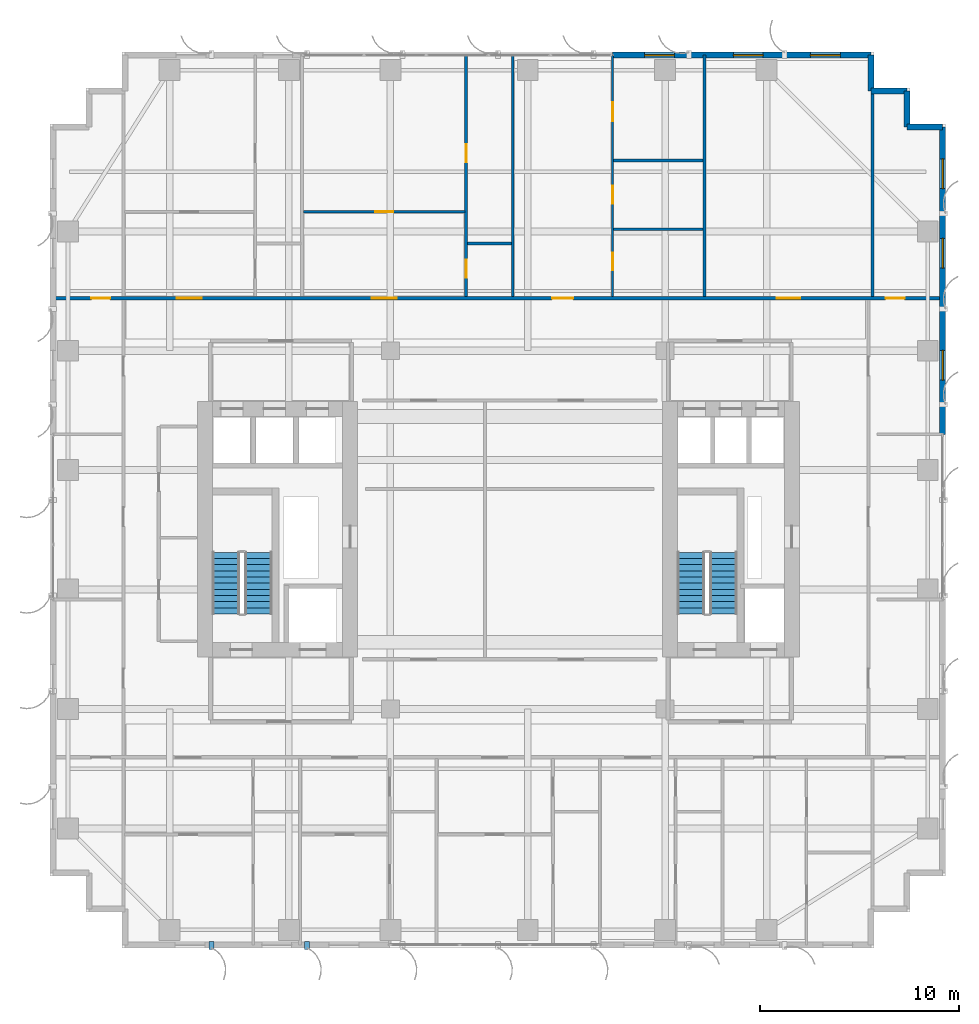
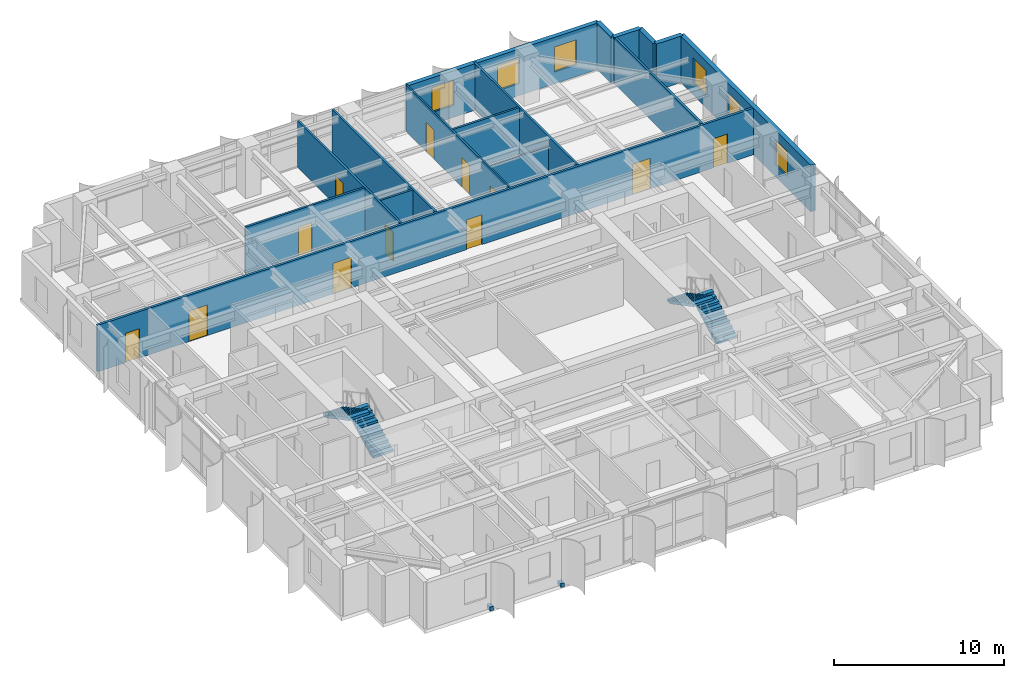
# One storey, part 17 of 22: 16 walls, 12 doors, 6 windows, 4 stair flights, 2 discrete accessories, 18 openings, 2 elements without a shape of their own.
"""IFC4 building model written with IfcOpenShell, lengths in metres."""

from ifc_helpers import new_model, si_unit, direction, frame, frame_2d, origin, origin_2d, place, context, subcontext, project, spatial, polyline, rectangle, outline, extrude, source, transform, mapped, material, layer, layer_set, type_object, element, fill, aggregate, save


model = new_model("IFC4")

# Units and contexts
model_context = context("Model", 3, precision=1e-05, world=origin(), true_north=direction((0.0, 1.0)))
body_context = subcontext(model_context, "Body", "Model", "MODEL_VIEW")
ifc_project = project(units=[si_unit("LENGTHUNIT", "METRE"), si_unit("AREAUNIT", "SQUARE_METRE"), si_unit("VOLUMEUNIT", "CUBIC_METRE"), si_unit("PLANEANGLEUNIT", "RADIAN"), si_unit("MASSUNIT", "GRAM", prefix="KILO")], contexts=[model_context])

# Site, building, storey
site_placement = place(None, origin())
site = spatial("IfcSite", under=ifc_project, at=site_placement, CompositionType="ELEMENT")
building_placement = place(site_placement, origin())
building = spatial("IfcBuilding", under=site, at=building_placement, Name="Khoralis Quay Care Tower", CompositionType="ELEMENT")
storey_placement = place(building_placement, frame((0.0, 0.0, 98.10009765625)))
storey = spatial("IfcBuildingStorey", under=building, at=storey_placement, Name="L25", CompositionType="ELEMENT", Elevation=98.10009765625)

# Wall, openings, doors
ifc_material_1 = material(Name="Gypsum plasterboard on acoustic metal stud")
ifc_layer_1 = layer(ifc_material_1, 0.1650390625)
ifc_layer_set_1 = layer_set([ifc_layer_1], Name="Gypsum plasterboard on acoustic metal stud")
wall_type_1 = type_object("IfcWallType", Name="WL-CORR-165", PredefinedType="PARTITIONING", material=ifc_layer_set_1)
wall_1_placement = place(storey_placement, frame((0.14501953125, 32.639892578125, 0.0), z_axis=(0.0, 0.0, 1.0), x_axis=(1.0, 0.0, 0.0)))
wall_1 = element("IfcWall", 1, at=wall_1_placement, inside=storey, type_object=wall_type_1, Name="L25 North Main Corridor Wall", PredefinedType="PARTITIONING", context=body_context, shape_type="SweptSolid", body=[
    extrude(rectangle(XDim=44.7099609375, YDim=0.1650390625, at=frame_2d((22.35498046875, 0.0))), origin(), (0.0, 0.0, 1.0), 3.33984375),
])
opening_1_placement = place(wall_1_placement, frame((6.22509765625, 0.0, 0.0)))
opening_1 = element("IfcOpeningElement", 2, at=opening_1_placement, cuts=wall_1, Name="Opening CD1", PredefinedType="OPENING", context=body_context, shape_type="SweptSolid", body=[
    extrude(rectangle(XDim=1.25, YDim=2.199951171875, at=frame_2d((0.625, 1.10009765625))), frame((0.0, 0.092529296875, 0.0), z_axis=(0.0, -1.0, 0.0), x_axis=(1.0, 0.0, 0.0)), (0.0, 0.0, 1.0), 0.18505859375),
])
opening_2_placement = place(wall_1_placement, frame((16.010009765625, 0.0, 0.0)))
opening_2 = element("IfcOpeningElement", 3, at=opening_2_placement, cuts=wall_1, Name="Opening CD1", PredefinedType="OPENING", context=body_context, shape_type="SweptSolid", body=[
    extrude(rectangle(XDim=1.25, YDim=2.199951171875, at=frame_2d((0.625, 1.10009765625))), frame((0.0, 0.092529296875, 0.0), z_axis=(0.0, -1.0, 0.0), x_axis=(1.0, 0.0, 0.0)), (0.0, 0.0, 1.0), 0.18505859375),
])
opening_3_placement = place(wall_1_placement, frame((25.083984375, 0.0, 0.0)))
opening_3 = element("IfcOpeningElement", 4, at=opening_3_placement, cuts=wall_1, Name="Opening UD1", PredefinedType="OPENING", context=body_context, shape_type="SweptSolid", body=[
    extrude(rectangle(XDim=1.050048828125, YDim=2.14990234375, at=frame_2d((0.52490234375, 1.074951171875))), frame((0.0, 0.092529296875, 0.0), z_axis=(0.0, -1.0, 0.0), x_axis=(1.0, 0.0, 0.0)), (0.0, 0.0, 1.0), 0.18505859375),
])
opening_4_placement = place(wall_1_placement, frame((36.35498046875, 0.0, 0.0)))
opening_4 = element("IfcOpeningElement", 5, at=opening_4_placement, cuts=wall_1, Name="Opening FD1", PredefinedType="OPENING", context=body_context, shape_type="SweptSolid", body=[
    extrude(rectangle(XDim=1.199951171875, YDim=2.199951171875, at=frame_2d((0.60009765625, 1.10009765625))), frame((0.0, 0.092529296875, 0.0), z_axis=(0.0, -1.0, 0.0), x_axis=(1.0, 0.0, 0.0)), (0.0, 0.0, 1.0), 0.18505859375),
])
opening_5_placement = place(wall_1_placement, frame((1.919921875, 0.0, 0.0)))
opening_5 = element("IfcOpeningElement", 6, at=opening_5_placement, cuts=wall_1, Name="Opening ID1", PredefinedType="OPENING", context=body_context, shape_type="SweptSolid", body=[
    extrude(rectangle(XDim=0.949951171875, YDim=2.10009765625, at=frame_2d((0.47509765625, 1.050048828125))), frame((0.0, 0.092529296875, 0.0), z_axis=(0.0, -1.0, 0.0), x_axis=(1.0, 0.0, 0.0)), (0.0, 0.0, 1.0), 0.18505859375),
])
opening_6_placement = place(wall_1_placement, frame((41.840087890625, 0.0, 0.0)))
opening_6 = element("IfcOpeningElement", 7, at=opening_6_placement, cuts=wall_1, Name="Opening ID1", PredefinedType="OPENING", context=body_context, shape_type="SweptSolid", body=[
    extrude(rectangle(XDim=0.949951171875, YDim=2.10009765625, at=frame_2d((0.47509765625, 1.050048828125))), frame((0.0, 0.092529296875, 0.0), z_axis=(0.0, -1.0, 0.0), x_axis=(1.0, 0.0, 0.0)), (0.0, 0.0, 1.0), 0.18505859375),
])
ifc_material_2 = material(Name="Fire-rated painted steel", Category="steel")
door_type_1 = type_object("IfcDoorType", Name="DR-FFL-1200X2200", OperationType="NOTDEFINED", PredefinedType="DOOR", material=ifc_material_2)
shared_shape_1 = source(origin(), body_context, "Body", "SweptSolid", [
    extrude(rectangle(XDim=1.199951171875, YDim=2.199951171875, at=frame_2d((0.60009765625, 1.10009765625))), frame((0.0, 0.02490234375, 0.0), z_axis=(0.0, -1.0, 0.0), x_axis=(1.0, 0.0, 0.0)), (0.0, 0.0, 1.0), 0.050048828125),
])
door_1_placement = place(opening_4_placement, origin())
door_1 = element("IfcDoor", 8, at=door_1_placement, inside=storey, type_object=door_type_1, Name="L25 Assisted Communal Dining Room Door", OperationType="DOUBLE_DOOR_SINGLE_SWING", OverallHeight=2.199951171875, OverallWidth=1.199951171875, PredefinedType="DOOR", context=body_context, shape_type="MappedRepresentation", body=[
    mapped(shared_shape_1, transform((0.0, 0.0, 0.0), scale=1.0)),
])
fill(opening_4, door_1)
ifc_material_3 = material(Name="Acoustic hardwood timber", Category="wood")
door_type_2 = type_object("IfcDoorType", Name="DR-CARE-1250X2200", OperationType="NOTDEFINED", PredefinedType="DOOR", material=ifc_material_3)
shared_shape_2 = source(origin(), body_context, "Body", "SweptSolid", [
    extrude(rectangle(XDim=1.25, YDim=2.199951171875, at=frame_2d((0.625, 1.10009765625))), frame((0.0, 0.02490234375, 0.0), z_axis=(0.0, -1.0, 0.0), x_axis=(1.0, 0.0, 0.0)), (0.0, 0.0, 1.0), 0.050048828125),
])
door_2_placement = place(opening_1_placement, origin())
door_2 = element("IfcDoor", 9, at=door_2_placement, inside=storey, type_object=door_type_2, Name="L25 Care Suite NB0 Clinical Door", OperationType="SINGLE_SWING_LEFT", OverallHeight=2.199951171875, OverallWidth=1.25, PredefinedType="DOOR", context=body_context, shape_type="MappedRepresentation", body=[
    mapped(shared_shape_2, transform((0.0, 0.0, 0.0), scale=1.0)),
])
fill(opening_1, door_2)
door_3_placement = place(opening_2_placement, origin())
door_3 = element("IfcDoor", 10, at=door_3_placement, inside=storey, type_object=door_type_2, Name="L25 Care Suite NB1 Clinical Door", OperationType="SINGLE_SWING_RIGHT", OverallHeight=2.199951171875, OverallWidth=1.25, PredefinedType="DOOR", context=body_context, shape_type="MappedRepresentation", body=[
    mapped(shared_shape_2, transform((0.0, 0.0, 0.0), scale=1.0)),
])
fill(opening_2, door_3)
door_type_3 = type_object("IfcDoorType", Name="DR-ROOM-950X2100", OperationType="NOTDEFINED", PredefinedType="DOOR", material=ifc_material_3)
shared_shape_3 = source(origin(), body_context, "Body", "SweptSolid", [
    extrude(rectangle(XDim=0.949951171875, YDim=2.10009765625, at=frame_2d((0.47509765625, 1.050048828125))), frame((0.0, 0.02490234375, 0.0), z_axis=(0.0, -1.0, 0.0), x_axis=(1.0, 0.0, 0.0)), (0.0, 0.0, 1.0), 0.050048828125),
])
door_4_placement = place(opening_5_placement, origin())
door_4 = element("IfcDoor", 11, at=door_4_placement, inside=storey, type_object=door_type_3, Name="L25 NW Corner Door", OperationType="SINGLE_SWING_RIGHT", OverallHeight=2.10009765625, OverallWidth=0.949951171875, PredefinedType="DOOR", context=body_context, shape_type="MappedRepresentation", body=[
    mapped(shared_shape_3, transform((0.0, 0.0, 0.0), scale=1.0)),
])
fill(opening_5, door_4)
door_5_placement = place(opening_6_placement, origin())
door_5 = element("IfcDoor", 12, at=door_5_placement, inside=storey, type_object=door_type_3, Name="L25 NE Corner Door", OperationType="SINGLE_SWING_LEFT", OverallHeight=2.10009765625, OverallWidth=0.949951171875, PredefinedType="DOOR", context=body_context, shape_type="MappedRepresentation", body=[
    mapped(shared_shape_3, transform((0.0, 0.0, 0.0), scale=1.0)),
])
fill(opening_6, door_5)
door_type_4 = type_object("IfcDoorType", Name="DR-SUITE-1050X2150", OperationType="NOTDEFINED", PredefinedType="DOOR", material=ifc_material_3)
shared_shape_4 = source(origin(), body_context, "Body", "SweptSolid", [
    extrude(rectangle(XDim=1.050048828125, YDim=2.14990234375, at=frame_2d((0.52490234375, 1.074951171875))), frame((0.0, 0.02490234375, 0.0), z_axis=(0.0, -1.0, 0.0), x_axis=(1.0, 0.0, 0.0)), (0.0, 0.0, 1.0), 0.050048828125),
])
door_6_placement = place(opening_3_placement, origin())
door_6 = element("IfcDoor", 13, at=door_6_placement, inside=storey, type_object=door_type_4, Name="L25 Apartment NB2 Entrance Door", OperationType="SINGLE_SWING_LEFT", OverallHeight=2.14990234375, OverallWidth=1.050048828125, PredefinedType="DOOR", context=body_context, shape_type="MappedRepresentation", body=[
    mapped(shared_shape_4, transform((0.0, 0.0, 0.0), scale=1.0)),
])
fill(opening_3, door_6)

# Wall, openings, windows
ifc_material_4 = material(Name="Precast concrete C45/55", Category="concrete")
ifc_layer_2 = layer(ifc_material_4, 0.300048828125)
ifc_layer_set_2 = layer_set([ifc_layer_2], Name="Precast concrete C45/55")
wall_type_2 = type_object("IfcWallType", Name="WL-EXT-REF-300", PredefinedType="SOLIDWALL", material=ifc_layer_set_2)
wall_2_placement = place(storey_placement, frame((44.85009765625, 25.800048828125, 0.0), z_axis=(0.0, 0.0, 1.0), x_axis=(0.0, 1.0, 0.0)))
wall_2 = element("IfcWall", 14, at=wall_2_placement, inside=storey, type_object=wall_type_2, Name="L25 External Facade Wall WL-EXT-L25-P1-E5B", PredefinedType="SOLIDWALL", context=body_context, shape_type="SweptSolid", body=[
    extrude(rectangle(XDim=15.449951171875, YDim=0.300048828125, at=frame_2d((7.72509765625, 0.0))), origin(), (0.0, 0.0, 1.0), 3.33984375),
])
opening_7_placement = place(wall_2_placement, frame((2.719970703125, 0.0, 0.85009765625)))
opening_7 = element("IfcOpeningElement", 15, at=opening_7_placement, cuts=wall_2, Name="Opening W3", PredefinedType="OPENING", context=body_context, shape_type="SweptSolid", body=[
    extrude(rectangle(XDim=1.5, YDim=1.800048828125, at=frame_2d((0.75, 0.89990234375))), frame((0.0, 0.16015625, 0.0), z_axis=(0.0, -1.0, 0.0), x_axis=(1.0, 0.0, 0.0)), (0.0, 0.0, 1.0), 0.320068359375),
])
opening_8_placement = place(wall_2_placement, frame((8.347412109375, 0.0, 0.85009765625)))
opening_8 = element("IfcOpeningElement", 16, at=opening_8_placement, cuts=wall_2, Name="Opening W3", PredefinedType="OPENING", context=body_context, shape_type="SweptSolid", body=[
    extrude(rectangle(XDim=1.5, YDim=1.800048828125, at=frame_2d((0.75, 0.89990234375))), frame((0.0, 0.16015625, 0.0), z_axis=(0.0, -1.0, 0.0), x_axis=(1.0, 0.0, 0.0)), (0.0, 0.0, 1.0), 0.320068359375),
])
opening_9_placement = place(wall_2_placement, frame((12.342529296875, 0.0, 0.85009765625)))
opening_9 = element("IfcOpeningElement", 17, at=opening_9_placement, cuts=wall_2, Name="Opening W3", PredefinedType="OPENING", context=body_context, shape_type="SweptSolid", body=[
    extrude(rectangle(XDim=1.5, YDim=1.800048828125, at=frame_2d((0.75, 0.89990234375))), frame((0.0, 0.16015625, 0.0), z_axis=(0.0, -1.0, 0.0), x_axis=(1.0, 0.0, 0.0)), (0.0, 0.0, 1.0), 0.320068359375),
])
ifc_material_5 = material(Name="Low-E solar-control double glazing", Category="glass")
window_type = type_object("IfcWindowType", Name="WN-CLIN-1500X1800", PartitioningType="SINGLE_PANEL", PredefinedType="WINDOW", material=ifc_material_5)
shared_shape_5 = source(origin(), body_context, "Body", "SweptSolid", [
    extrude(rectangle(XDim=1.5, YDim=1.800048828125, at=frame_2d((0.75, 0.89990234375))), frame((0.0, 0.030029296875, 0.0), z_axis=(0.0, -1.0, 0.0), x_axis=(1.0, 0.0, 0.0)), (0.0, 0.0, 1.0), 0.06005859375),
])
window_1_placement = place(opening_7_placement, origin())
window_1 = element("IfcWindow", 18, at=window_1_placement, inside=storey, type_object=window_type, Name="WN-L25-P1-E5B Facade Window 01", OverallHeight=1.800048828125, OverallWidth=1.5, PartitioningType="SINGLE_PANEL", PredefinedType="WINDOW", context=body_context, shape_type="MappedRepresentation", body=[
    mapped(shared_shape_5, transform((0.0, 0.0, 0.0), scale=1.0)),
])
fill(opening_7, window_1)
window_2_placement = place(opening_8_placement, origin())
window_2 = element("IfcWindow", 19, at=window_2_placement, inside=storey, type_object=window_type, Name="WN-L25-P1-E5B Facade Window 02", OverallHeight=1.800048828125, OverallWidth=1.5, PartitioningType="SINGLE_PANEL", PredefinedType="WINDOW", context=body_context, shape_type="MappedRepresentation", body=[
    mapped(shared_shape_5, transform((0.0, 0.0, 0.0), scale=1.0)),
])
fill(opening_8, window_2)
window_3_placement = place(opening_9_placement, origin())
window_3 = element("IfcWindow", 20, at=window_3_placement, inside=storey, type_object=window_type, Name="WN-L25-P1-E5B Facade Window 03", OverallHeight=1.800048828125, OverallWidth=1.5, PartitioningType="SINGLE_PANEL", PredefinedType="WINDOW", context=body_context, shape_type="MappedRepresentation", body=[
    mapped(shared_shape_5, transform((0.0, 0.0, 0.0), scale=1.0)),
])
fill(opening_9, window_3)

# Walls
for number, where, z_axis, x_axis, name in (
    (21, (44.85009765625, 41.25, 0.0), (0.0, 0.0, 1.0), (-1.0, 0.0, 0.0), "L25 External Facade Wall WL-EXT-L25-P1-C6"),
    (22, (43.050048828125, 41.25, 0.0), (0.0, 0.0, 1.0), (0.0, 1.0, 0.0), "L25 External Facade Wall WL-EXT-L25-P1-C7"),
    (23, (43.050048828125, 43.050048828125, 0.0), (0.0, 0.0, 1.0), (-1.0, 0.0, 0.0), "L25 External Facade Wall WL-EXT-L25-P1-C8"),
    (24, (41.25, 43.050048828125, 0.0), (0.0, 0.0, 1.0), (0.0, 1.0, 0.0), "L25 External Facade Wall WL-EXT-L25-P1-C9"),
):
    element("IfcWall", number, at=place(storey_placement, frame(where, z_axis=z_axis, x_axis=x_axis)), inside=storey, type_object=wall_type_2, Name=name, PredefinedType="SOLIDWALL", context=body_context, shape_type="SweptSolid", body=[
        extrude(rectangle(XDim=1.800048828125, YDim=0.300048828125, at=frame_2d((0.89990234375, 0.0))), origin(), (0.0, 0.0, 1.0), 3.33984375),
    ])

# Wall, openings, windows
wall_3_placement = place(storey_placement, frame((41.25, 44.85009765625, 0.0), z_axis=(0.0, 0.0, 1.0), x_axis=(-1.0, 0.0, 0.0)))
wall_3 = element("IfcWall", 25, at=wall_3_placement, inside=storey, type_object=wall_type_2, Name="L25 External Facade Wall WL-EXT-L25-P1-E10A", PredefinedType="SOLIDWALL", context=body_context, shape_type="SweptSolid", body=[
    extrude(rectangle(XDim=12.991943359375, YDim=0.300048828125, at=frame_2d((6.49609375, 0.0))), origin(), (0.0, 0.0, 1.0), 3.33984375),
])
opening_10_placement = place(wall_3_placement, frame((1.547607421875, 0.0, 0.85009765625)))
opening_10 = element("IfcOpeningElement", 26, at=opening_10_placement, cuts=wall_3, Name="Opening W3", PredefinedType="OPENING", context=body_context, shape_type="SweptSolid", body=[
    extrude(rectangle(XDim=1.5, YDim=1.800048828125, at=frame_2d((0.75, 0.89990234375))), frame((0.0, 0.16015625, 0.0), z_axis=(0.0, -1.0, 0.0), x_axis=(1.0, 0.0, 0.0)), (0.0, 0.0, 1.0), 0.320068359375),
])
opening_11_placement = place(wall_3_placement, frame((5.422607421875, 0.0, 0.85009765625)))
opening_11 = element("IfcOpeningElement", 27, at=opening_11_placement, cuts=wall_3, Name="Opening W3", PredefinedType="OPENING", context=body_context, shape_type="SweptSolid", body=[
    extrude(rectangle(XDim=1.5, YDim=1.800048828125, at=frame_2d((0.75, 0.89990234375))), frame((0.0, 0.16015625, 0.0), z_axis=(0.0, -1.0, 0.0), x_axis=(1.0, 0.0, 0.0)), (0.0, 0.0, 1.0), 0.320068359375),
])
opening_12_placement = place(wall_3_placement, frame((9.881103515625, 0.0, 0.85009765625)))
opening_12 = element("IfcOpeningElement", 28, at=opening_12_placement, cuts=wall_3, Name="Opening W3", PredefinedType="OPENING", context=body_context, shape_type="SweptSolid", body=[
    extrude(rectangle(XDim=1.5, YDim=1.800048828125, at=frame_2d((0.75, 0.89990234375))), frame((0.0, 0.16015625, 0.0), z_axis=(0.0, -1.0, 0.0), x_axis=(1.0, 0.0, 0.0)), (0.0, 0.0, 1.0), 0.320068359375),
])
window_4_placement = place(opening_10_placement, origin())
window_4 = element("IfcWindow", 29, at=window_4_placement, inside=storey, type_object=window_type, Name="WN-L25-P1-E10A Facade Window 01", OverallHeight=1.800048828125, OverallWidth=1.5, PartitioningType="SINGLE_PANEL", PredefinedType="WINDOW", context=body_context, shape_type="MappedRepresentation", body=[
    mapped(shared_shape_5, transform((0.0, 0.0, 0.0), scale=1.0)),
])
fill(opening_10, window_4)
window_5_placement = place(opening_11_placement, origin())
window_5 = element("IfcWindow", 30, at=window_5_placement, inside=storey, type_object=window_type, Name="WN-L25-P1-E10A Facade Window 02", OverallHeight=1.800048828125, OverallWidth=1.5, PartitioningType="SINGLE_PANEL", PredefinedType="WINDOW", context=body_context, shape_type="MappedRepresentation", body=[
    mapped(shared_shape_5, transform((0.0, 0.0, 0.0), scale=1.0)),
])
fill(opening_11, window_5)
window_6_placement = place(opening_12_placement, origin())
window_6 = element("IfcWindow", 31, at=window_6_placement, inside=storey, type_object=window_type, Name="WN-L25-P1-E10A Facade Window 03", OverallHeight=1.800048828125, OverallWidth=1.5, PartitioningType="SINGLE_PANEL", PredefinedType="WINDOW", context=body_context, shape_type="MappedRepresentation", body=[
    mapped(shared_shape_5, transform((0.0, 0.0, 0.0), scale=1.0)),
])
fill(opening_12, window_6)

# Wall, openings, doors
ifc_layer_3 = layer(ifc_material_1, 0.114990234375)
ifc_layer_set_3 = layer_set([ifc_layer_3], Name="Gypsum plasterboard on acoustic metal stud")
wall_type_3 = type_object("IfcWallType", Name="WL-PART-115", PredefinedType="PARTITIONING", material=ifc_layer_set_3)
wall_4_placement = place(storey_placement, frame((28.258056640625, 32.717529296875, 0.0), z_axis=(0.0, 0.0, 1.0), x_axis=(0.0, 1.0, 0.0)))
wall_4 = element("IfcWall", 32, at=wall_4_placement, inside=storey, type_object=wall_type_3, Name="L25 Unit 2 Internal Wall", PredefinedType="PARTITIONING", context=body_context, shape_type="SweptSolid", body=[
    extrude(rectangle(XDim=12.137451171875, YDim=0.114990234375, at=frame_2d((6.06884765625, 0.0))), origin(), (0.0, 0.0, 1.0), 3.33984375),
])
opening_13_placement = place(wall_4_placement, frame((8.8134765625, 0.0, 0.0)))
opening_13 = element("IfcOpeningElement", 33, at=opening_13_placement, cuts=wall_4, Name="Opening ID1", PredefinedType="OPENING", context=body_context, shape_type="SweptSolid", body=[
    extrude(rectangle(XDim=0.949951171875, YDim=2.10009765625, at=frame_2d((0.47509765625, 1.050048828125))), frame((0.0, 0.0673828125, 0.0), z_axis=(0.0, -1.0, 0.0), x_axis=(1.0, 0.0, 0.0)), (0.0, 0.0, 1.0), 0.135009765625),
])
opening_14_placement = place(wall_4_placement, frame((4.6640625, 0.0, 0.0)))
opening_14 = element("IfcOpeningElement", 34, at=opening_14_placement, cuts=wall_4, Name="Opening WD1", PredefinedType="OPENING", context=body_context, shape_type="SweptSolid", body=[
    extrude(rectangle(XDim=0.89990234375, YDim=2.10009765625, at=frame_2d((0.449951171875, 1.050048828125))), frame((0.0, 0.0673828125, 0.0), z_axis=(0.0, -1.0, 0.0), x_axis=(1.0, 0.0, 0.0)), (0.0, 0.0, 1.0), 0.135009765625),
])
opening_15_placement = place(wall_4_placement, frame((1.318115234375, 0.0, 0.0)))
opening_15 = element("IfcOpeningElement", 35, at=opening_15_placement, cuts=wall_4, Name="Opening WD1", PredefinedType="OPENING", context=body_context, shape_type="SweptSolid", body=[
    extrude(rectangle(XDim=0.89990234375, YDim=2.10009765625, at=frame_2d((0.449951171875, 1.050048828125))), frame((0.0, 0.0673828125, 0.0), z_axis=(0.0, -1.0, 0.0), x_axis=(1.0, 0.0, 0.0)), (0.0, 0.0, 1.0), 0.135009765625),
])
door_type_5 = type_object("IfcDoorType", Name="DR-BATH-900X2100", OperationType="NOTDEFINED", PredefinedType="DOOR", material=ifc_material_3)
shared_shape_6 = source(origin(), body_context, "Body", "SweptSolid", [
    extrude(rectangle(XDim=0.89990234375, YDim=2.10009765625, at=frame_2d((0.449951171875, 1.050048828125))), frame((0.0, 0.02490234375, 0.0), z_axis=(0.0, -1.0, 0.0), x_axis=(1.0, 0.0, 0.0)), (0.0, 0.0, 1.0), 0.050048828125),
])
door_7_placement = place(opening_14_placement, frame((0.89990234375, 0.0, 0.0), z_axis=(0.0, 0.0, 1.0), x_axis=(-1.0, 0.0, 0.0)))
door_7 = element("IfcDoor", 36, at=door_7_placement, inside=storey, type_object=door_type_5, Name="L25 Apartment NB2 KIT Door", OperationType="SINGLE_SWING_LEFT", OverallHeight=2.10009765625, OverallWidth=0.89990234375, PredefinedType="DOOR", context=body_context, shape_type="MappedRepresentation", body=[
    mapped(shared_shape_6, transform((0.0, 0.0, 0.0), scale=1.0)),
])
fill(opening_14, door_7)
door_8_placement = place(opening_15_placement, frame((0.89990234375, 0.0, 0.0), z_axis=(0.0, 0.0, 1.0), x_axis=(-1.0, 0.0, 0.0)))
door_8 = element("IfcDoor", 37, at=door_8_placement, inside=storey, type_object=door_type_5, Name="L25 Apartment NB2 BTH Door", OperationType="SINGLE_SWING_RIGHT", OverallHeight=2.10009765625, OverallWidth=0.89990234375, PredefinedType="DOOR", context=body_context, shape_type="MappedRepresentation", body=[
    mapped(shared_shape_6, transform((0.0, 0.0, 0.0), scale=1.0)),
])
fill(opening_15, door_8)
door_9_placement = place(opening_13_placement, frame((0.949951171875, 0.0, 0.0), z_axis=(0.0, 0.0, 1.0), x_axis=(-1.0, 0.0, 0.0)))
door_9 = element("IfcDoor", 38, at=door_9_placement, inside=storey, type_object=door_type_3, Name="L25 Apartment NB2 BED Door", OperationType="SINGLE_SWING_RIGHT", OverallHeight=2.10009765625, OverallWidth=0.949951171875, PredefinedType="DOOR", context=body_context, shape_type="MappedRepresentation", body=[
    mapped(shared_shape_3, transform((0.0, 0.0, 0.0), scale=1.0)),
])
fill(opening_13, door_9)

# Wall
wall_5_placement = place(storey_placement, frame((28.310546875, 36.10107421875, 0.0), z_axis=(0.0, 0.0, 1.0), x_axis=(1.0, 0.0, 0.0)))
element("IfcWall", 39, at=wall_5_placement, inside=storey, type_object=wall_type_3, Name="L25 Unit 2 Kitchen Wall", PredefinedType="PARTITIONING", context=body_context, shape_type="SweptSolid", body=[
    extrude(rectangle(XDim=4.50439453125, YDim=0.114990234375, at=frame_2d((2.252197265625, 0.0))), origin(), (0.0, 0.0, 1.0), 2.64501953125),
])

# Wall, openings, doors
ifc_material_6 = material(Name="Moisture-resistant gypsum and ceramic tile")
ifc_layer_4 = layer(ifc_material_6, 0.280029296875)
ifc_layer_set_4 = layer_set([ifc_layer_4], Name="Moisture-resistant gypsum and ceramic tile")
wall_type_4 = type_object("IfcWallType", Name="WL-PLUMB-280", PredefinedType="PLUMBINGWALL", material=ifc_layer_set_4)
wall_6_placement = place(storey_placement, frame((20.89990234375, 32.717529296875, 0.0), z_axis=(0.0, 0.0, 1.0), x_axis=(0.0, 1.0, 0.0)))
wall_6 = element("IfcWall", 40, at=wall_6_placement, inside=storey, type_object=wall_type_4, Name="L25 Care Suite 1 En-Suite Wall V", PredefinedType="PLUMBINGWALL", context=body_context, shape_type="SweptSolid", body=[
    extrude(rectangle(XDim=12.137451171875, YDim=0.139892578125, at=frame_2d((6.06884765625, 0.0))), origin(), (0.0, 0.0, 1.0), 3.33984375),
])
opening_16_placement = place(wall_6_placement, frame((0.96240234375, 0.0, 0.0)))
opening_16 = element("IfcOpeningElement", 41, at=opening_16_placement, cuts=wall_6, Name="Opening WD1", PredefinedType="OPENING", context=body_context, shape_type="SweptSolid", body=[
    extrude(rectangle(XDim=0.89990234375, YDim=2.10009765625, at=frame_2d((0.449951171875, 1.050048828125))), frame((0.0, 0.080078125, 0.0), z_axis=(0.0, -1.0, 0.0), x_axis=(1.0, 0.0, 0.0)), (0.0, 0.0, 1.0), 0.159912109375),
])
opening_17_placement = place(wall_6_placement, frame((6.75244140625, 0.0, 0.0)))
opening_17 = element("IfcOpeningElement", 42, at=opening_17_placement, cuts=wall_6, Name="Opening WD1", PredefinedType="OPENING", context=body_context, shape_type="SweptSolid", body=[
    extrude(rectangle(XDim=0.89990234375, YDim=2.10009765625, at=frame_2d((0.449951171875, 1.050048828125))), frame((0.0, 0.080078125, 0.0), z_axis=(0.0, -1.0, 0.0), x_axis=(1.0, 0.0, 0.0)), (0.0, 0.0, 1.0), 0.159912109375),
])
door_10_placement = place(opening_16_placement, frame((0.89990234375, 0.0, 0.0), z_axis=(0.0, 0.0, 1.0), x_axis=(-1.0, 0.0, 0.0)))
door_10 = element("IfcDoor", 43, at=door_10_placement, inside=storey, type_object=door_type_5, Name="L25 Care CENS Door", OperationType="SINGLE_SWING_LEFT", OverallHeight=2.10009765625, OverallWidth=0.89990234375, PredefinedType="DOOR", context=body_context, shape_type="MappedRepresentation", body=[
    mapped(shared_shape_6, transform((0.0, 0.0, 0.0), scale=1.0)),
])
fill(opening_16, door_10)
door_11_placement = place(opening_17_placement, frame((0.89990234375, 0.0, 0.0), z_axis=(0.0, 0.0, 1.0), x_axis=(-1.0, 0.0, 0.0)))
door_11 = element("IfcDoor", 44, at=door_11_placement, inside=storey, type_object=door_type_5, Name="L25 Care CSIT Door", OperationType="SINGLE_SWING_RIGHT", OverallHeight=2.10009765625, OverallWidth=0.89990234375, PredefinedType="DOOR", context=body_context, shape_type="MappedRepresentation", body=[
    mapped(shared_shape_6, transform((0.0, 0.0, 0.0), scale=1.0)),
])
fill(opening_17, door_11)

# Walls
wall_7_placement = place(storey_placement, frame((20.965087890625, 35.389892578125, 0.0), z_axis=(0.0, 0.0, 1.0), x_axis=(1.0, 0.0, 0.0)))
element("IfcWall", 45, at=wall_7_placement, inside=storey, type_object=wall_type_4, Name="L25 Care Suite 1 En-Suite Wall H", PredefinedType="PLUMBINGWALL", context=body_context, shape_type="SweptSolid", body=[
    extrude(rectangle(XDim=2.219970703125, YDim=0.139892578125, at=frame_2d((1.10986328125, 0.0))), origin(), (0.0, 0.0, 1.0), 3.33984375),
])
wall_8_placement = place(storey_placement, frame((28.310546875, 39.56201171875, 0.0), z_axis=(0.0, 0.0, 1.0), x_axis=(1.0, 0.0, 0.0)))
element("IfcWall", 46, at=wall_8_placement, inside=storey, type_object=wall_type_4, Name="L25 Unit 2 Wet Wall", PredefinedType="PLUMBINGWALL", context=body_context, shape_type="SweptSolid", body=[
    extrude(rectangle(XDim=4.50439453125, YDim=0.139892578125, at=frame_2d((2.252197265625, 0.0))), origin(), (0.0, 0.0, 1.0), 3.33984375),
])
ifc_layer_5 = layer(ifc_material_1, 0.139892578125)
ifc_layer_set_5 = layer_set([ifc_layer_5], Name="Gypsum plasterboard on acoustic metal stud")
wall_type_5 = type_object("IfcWallType", Name="WL-UNIT-140", PredefinedType="PARTITIONING", material=ifc_layer_set_5)
for number, where, z_axis, x_axis, name in (
    (47, (23.25, 32.717529296875, 0.0), (0.0, 0.0, 1.0), (0.0, 1.0, 0.0), "L25 NB Demising Wall 2"),
    (48, (32.8798828125, 32.717529296875, 0.0), (0.0, 0.0, 1.0), (0.0, 1.0, 0.0), "L25 NB Demising Wall 3"),
):
    element("IfcWall", number, at=place(storey_placement, frame(where, z_axis=z_axis, x_axis=x_axis)), inside=storey, type_object=wall_type_5, Name=name, PredefinedType="PARTITIONING", context=body_context, shape_type="SweptSolid", body=[
        extrude(rectangle(XDim=12.137451171875, YDim=0.139892578125, at=frame_2d((6.06884765625, 0.0))), origin(), (0.0, 0.0, 1.0), 3.33984375),
    ])
wall_9_placement = place(storey_placement, frame((41.320068359375, 32.717529296875, 0.0), z_axis=(0.0, 0.0, 1.0), x_axis=(0.0, 1.0, 0.0)))
element("IfcWall", 49, at=wall_9_placement, inside=storey, type_object=wall_type_5, Name="L25 NB Demising Wall 4", PredefinedType="PARTITIONING", context=body_context, shape_type="SweptSolid", body=[
    extrude(rectangle(XDim=10.33740234375, YDim=0.139892578125, at=frame_2d((5.168701171875, 0.0))), origin(), (0.0, 0.0, 1.0), 3.33984375),
])

# Wall, opening, door
wall_10_placement = place(storey_placement, frame((12.72509765625, 36.989990234375, 0.0), z_axis=(0.0, 0.0, 1.0), x_axis=(1.0, 0.0, 0.0)))
wall_10 = element("IfcWall", 50, at=wall_10_placement, inside=storey, type_object=wall_type_5, Name="Skilled Care Bedroom L25-NB1 Sub-Partition", PredefinedType="PARTITIONING", context=body_context, shape_type="SweptSolid", body=[
    extrude(rectangle(XDim=8.10986328125, YDim=0.139892578125, at=frame_2d((4.054931640625, 0.0))), origin(), (0.0, 0.0, 1.0), 3.33984375),
])
opening_18_placement = place(wall_10_placement, frame((3.60498046875, 0.0, 0.0)))
opening_18 = element("IfcOpeningElement", 51, at=opening_18_placement, cuts=wall_10, Name="Opening WD1", PredefinedType="OPENING", context=body_context, shape_type="SweptSolid", body=[
    extrude(rectangle(XDim=0.89990234375, YDim=2.10009765625, at=frame_2d((0.449951171875, 1.050048828125))), frame((0.0, 0.080078125, 0.0), z_axis=(0.0, -1.0, 0.0), x_axis=(1.0, 0.0, 0.0)), (0.0, 0.0, 1.0), 0.159912109375),
])
door_12_placement = place(opening_18_placement, frame((0.89990234375, 0.0, 0.0), z_axis=(0.0, 0.0, 1.0), x_axis=(-1.0, 0.0, 0.0)))
door_12 = element("IfcDoor", 52, at=door_12_placement, inside=storey, type_object=door_type_5, Name="Private Study & Reading Alcove ARE1 Door", OperationType="SINGLE_SWING_LEFT", OverallHeight=2.10009765625, OverallWidth=0.89990234375, PredefinedType="DOOR", context=body_context, shape_type="MappedRepresentation", body=[
    mapped(shared_shape_6, transform((0.0, 0.0, 0.0), scale=1.0)),
])
fill(opening_18, door_12)

# Stair, stair flights
stair_type = type_object("IfcStairType", Name="ST-TWR-DOGLEG-1400", PredefinedType="HALF_TURN_STAIR", material=ifc_material_4)
stair_1_placement = place(storey_placement, origin())
stair_1 = element("IfcStair", 53, at=stair_1_placement, inside=storey, type_object=stair_type, Name="L25 West Core Exit Stair ST-T1", PredefinedType="HALF_TURN_STAIR")
stair_flight_type = type_object("IfcStairFlightType", Name="SF-TWR-1400", PredefinedType="STRAIGHT", material=ifc_material_4)
shared_shape_7 = source(origin(), body_context, "Body", "SweptSolid", [
    extrude(outline(polyline([(0.0, 0.0), (0.0, 0.16357421875), (0.31005859375, 0.16357421875), (0.31005859375, 0.327392578125), (0.6201171875, 0.327392578125), (0.6201171875, 0.490966796875), (0.929931640625, 0.490966796875), (0.929931640625, 0.654541015625), (1.239990234375, 0.654541015625), (1.239990234375, 0.818115234375), (1.550048828125, 0.818115234375), (1.550048828125, 0.98193359375), (1.860107421875, 0.98193359375), (1.860107421875, 1.1455078125), (2.169921875, 1.1455078125), (2.169921875, 1.30908203125), (2.47998046875, 1.30908203125), (2.47998046875, 1.47265625), (2.7900390625, 1.47265625), (2.7900390625, 1.636474609375), (3.10009765625, 1.636474609375), (3.10009765625, 1.800048828125), (3.10009765625, 1.466796875), (0.321044921875, 0.0), (0.0, 0.0)])), frame((0.0, 0.68994140625, 0.0), z_axis=(0.0, -1.0, 0.0), x_axis=(1.0, 0.0, 0.0)), (0.0, 0.0, 1.0), 1.3798828125),
])
stair_flight_1_placement = place(storey_placement, frame((10.4599609375, 16.77001953125, 0.0), z_axis=(0.0, 0.0, 1.0), x_axis=(0.0, 1.0, 0.0)))
stair_flight_1 = element("IfcStairFlight", 54, at=stair_flight_1_placement, type_object=stair_flight_type, Name="ST-T1 flight 1", NumberOfRisers=11, NumberOfTreads=10, PredefinedType="STRAIGHT", RiserHeight=0.163636364, TreadLength=0.31, context=body_context, shape_type="MappedRepresentation", body=[
    mapped(shared_shape_7, transform((0.0, 0.0, 0.0), scale=1.0)),
])
stair_flight_2_placement = place(storey_placement, frame((8.840087890625, 19.8701171875, 1.7998046875), z_axis=(0.0, 0.0, 1.0), x_axis=(0.0, -1.0, 0.0)))
stair_flight_2 = element("IfcStairFlight", 55, at=stair_flight_2_placement, type_object=stair_flight_type, Name="ST-T1 flight 2", NumberOfRisers=11, NumberOfTreads=10, PredefinedType="STRAIGHT", RiserHeight=0.163636364, TreadLength=0.31, context=body_context, shape_type="MappedRepresentation", body=[
    mapped(shared_shape_7, transform((0.0, 0.0, 0.0), scale=1.0)),
])
aggregate(stair_1, [stair_flight_1, stair_flight_2])

stair_2_placement = place(storey_placement, origin())
stair_2 = element("IfcStair", 56, at=stair_2_placement, inside=storey, type_object=stair_type, Name="L25 East Core Exit Stair ST-T2", PredefinedType="HALF_TURN_STAIR")
stair_flight_3_placement = place(storey_placement, frame((33.830078125, 16.77001953125, 0.0), z_axis=(0.0, 0.0, 1.0), x_axis=(0.0, 1.0, 0.0)))
stair_flight_3 = element("IfcStairFlight", 57, at=stair_flight_3_placement, type_object=stair_flight_type, Name="ST-T2 flight 1", NumberOfRisers=11, NumberOfTreads=10, PredefinedType="STRAIGHT", RiserHeight=0.163636364, TreadLength=0.31, context=body_context, shape_type="MappedRepresentation", body=[
    mapped(shared_shape_7, transform((0.0, 0.0, 0.0), scale=1.0)),
])
stair_flight_4_placement = place(storey_placement, frame((32.2099609375, 19.8701171875, 1.7998046875), z_axis=(0.0, 0.0, 1.0), x_axis=(0.0, -1.0, 0.0)))
stair_flight_4 = element("IfcStairFlight", 58, at=stair_flight_4_placement, type_object=stair_flight_type, Name="ST-T2 flight 2", NumberOfRisers=11, NumberOfTreads=10, PredefinedType="STRAIGHT", RiserHeight=0.163636364, TreadLength=0.31, context=body_context, shape_type="MappedRepresentation", body=[
    mapped(shared_shape_7, transform((0.0, 0.0, 0.0), scale=1.0)),
])
aggregate(stair_2, [stair_flight_3, stair_flight_4])

# Discrete accessories
ifc_material_7 = material(Name="Brushed stainless steel", Category="steel")
discrete_accessory_type = type_object("IfcDiscreteAccessoryType", Name="ACC-FIN-BRACKET", PredefinedType="BRACKET", material=ifc_material_7)
shared_shape_8 = source(origin(), body_context, "Body", "SweptSolid", [
    extrude(rectangle(XDim=0.39990234375, YDim=0.239990234375, at=origin_2d()), origin(), (0.0, 0.0, 1.0), 0.280029296875),
])
for number, where, z_axis, x_axis, name in (
    (59, (8.10009765625, 0.110107421875, -0.1201171875), (0.0, 0.0, 1.0), (0.0, -1.0, 0.0), "L25 Solar Fin Bracket P1E0-01"),
    (60, (12.89990234375, 0.110107421875, -0.1201171875), (0.0, 0.0, 1.0), (0.0, -1.0, 0.0), "L25 Solar Fin Bracket P1E0-02"),
):
    element("IfcDiscreteAccessory", number, at=place(storey_placement, frame(where, z_axis=z_axis, x_axis=x_axis)), inside=storey, type_object=discrete_accessory_type, Name=name, PredefinedType="BRACKET", context=body_context, shape_type="MappedRepresentation", body=[
        mapped(shared_shape_8, transform((0.0, 0.0, 0.0), scale=1.0)),
    ])

save(model, "model.ifc")
